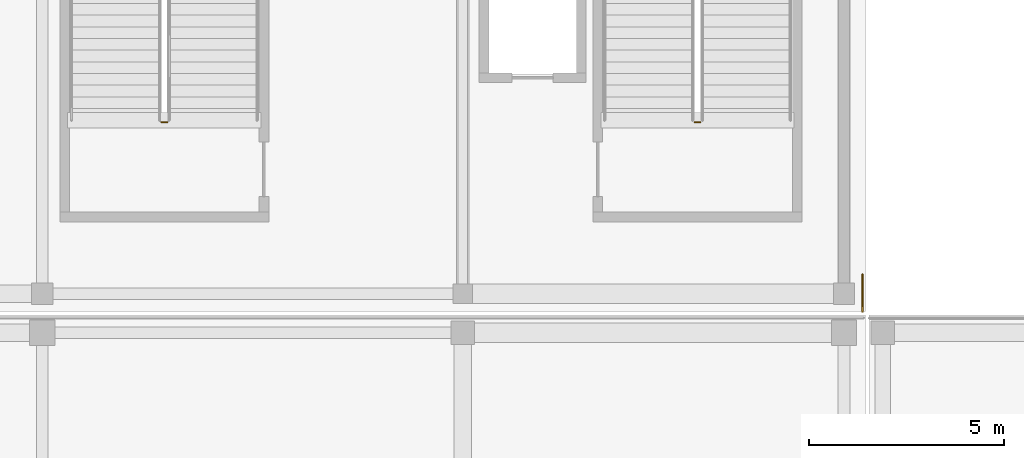
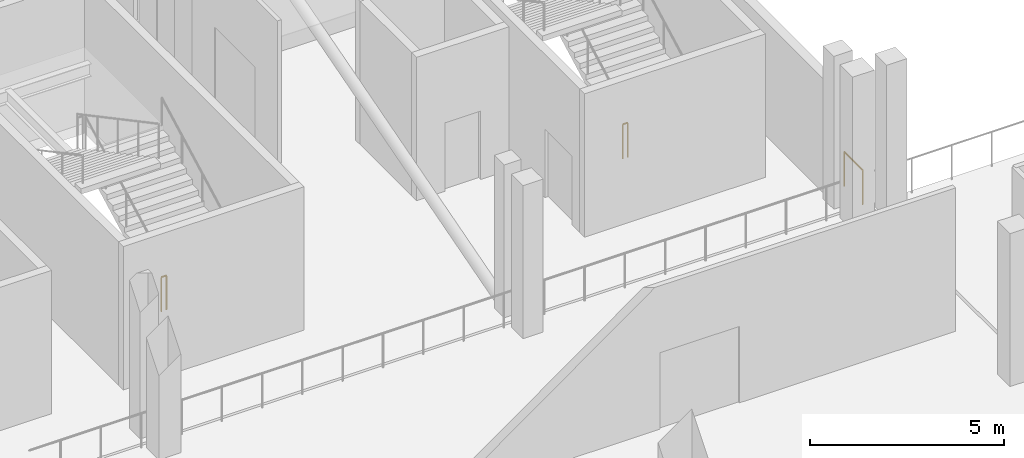
# One storey, part 115 of 129: 3 railings.
"""IFC4 building model written with IfcOpenShell, lengths in metres."""

from ifc_helpers import new_model, si_unit, direction, frame, origin, origin_2d, place, context, subcontext, project, spatial, circle, extrude, material, type_object, element, save


model = new_model("IFC4")

# Units and contexts
model_context = context("Model", 3, precision=1e-05, world=origin(), true_north=direction((0.0, 1.0)))
body_context = subcontext(model_context, "Body", "Model", "MODEL_VIEW")
ifc_project = project(units=[si_unit("LENGTHUNIT", "METRE"), si_unit("AREAUNIT", "SQUARE_METRE"), si_unit("VOLUMEUNIT", "CUBIC_METRE"), si_unit("PLANEANGLEUNIT", "RADIAN"), si_unit("MASSUNIT", "GRAM", prefix="KILO")], contexts=[model_context])

# Site, building, storey
site_placement = place(None, origin())
site = spatial("IfcSite", under=ifc_project, at=site_placement, CompositionType="ELEMENT")
building_placement = place(site_placement, origin())
building = spatial("IfcBuilding", under=site, at=building_placement, Name="Koshinbarg Plaza Stadium", CompositionType="ELEMENT")
storey_placement = place(building_placement, frame((0.0, 0.0, 5.39990234375)))
storey = spatial("IfcBuildingStorey", under=building, at=storey_placement, Name="L01", CompositionType="ELEMENT", Elevation=5.39990234375)

# Railings
ifc_material_1 = material(Name="Toughened laminated glass and stainless steel sightline balustrade", Category="steel")
railing_type_1 = type_object("IfcRailingType", Name="RL-BOWL-1100", PredefinedType="BALUSTRADE", material=ifc_material_1)
railing_placement = place(storey_placement, frame((218.875, 25.9912109375, 0.0)))
element("IfcRailing", 1, at=railing_placement, inside=storey, type_object=railing_type_1, Name="L01 deck edge safety balustrade 0016", PredefinedType="BALUSTRADE", context=body_context, shape_type="SweptSolid", body=[
    extrude(circle(Radius=0.02392578125, at=origin_2d()), frame((0.0, 0.0, 1.076171875), z_axis=(0.0, -1.0, 0.0), x_axis=(1.0, 0.0, 0.0)), (0.0, 0.0, 1.0), 0.9462890625),
    extrude(circle(Radius=0.02099609375, at=origin_2d()), origin(), (0.0, 0.0, 1.0), 1.052001953125),
    extrude(circle(Radius=0.02099609375, at=origin_2d()), frame((0.0, -0.9462890625, 0.0)), (0.0, 0.0, 1.0), 1.052001953125),
])
ifc_material_2 = material(Name="Galvanized painted steel guardrail", Category="steel")
railing_type_2 = type_object("IfcRailingType", Name="RL-GUARD-1100", PredefinedType="GUARDRAIL", material=ifc_material_2)
for number, where, name in (
    (2, (214.7099609375, 29.909912109375, 0.0), "L01 C07 stair guard 4"),
    (3, (201.010009765625, 29.909912109375, 0.0), "L01 VX07 stair guard 4"),
):
    element("IfcRailing", number, at=place(storey_placement, frame(where)), inside=storey, type_object=railing_type_2, Name=name, PredefinedType="GUARDRAIL", context=body_context, shape_type="SweptSolid", body=[
        extrude(circle(Radius=0.02392578125, at=origin_2d()), frame((0.0, 0.0, 1.076171875), z_axis=(-1.0, 0.0, 0.0), x_axis=(0.0, -1.0, 0.0)), (0.0, 0.0, 1.0), 0.14990234375),
        extrude(circle(Radius=0.02099609375, at=origin_2d()), origin(), (0.0, 0.0, 1.0), 1.052001953125),
        extrude(circle(Radius=0.02099609375, at=origin_2d()), frame((-0.14990234375, 0.0, 0.0)), (0.0, 0.0, 1.0), 1.052001953125),
    ])

save(model, "model.ifc")
